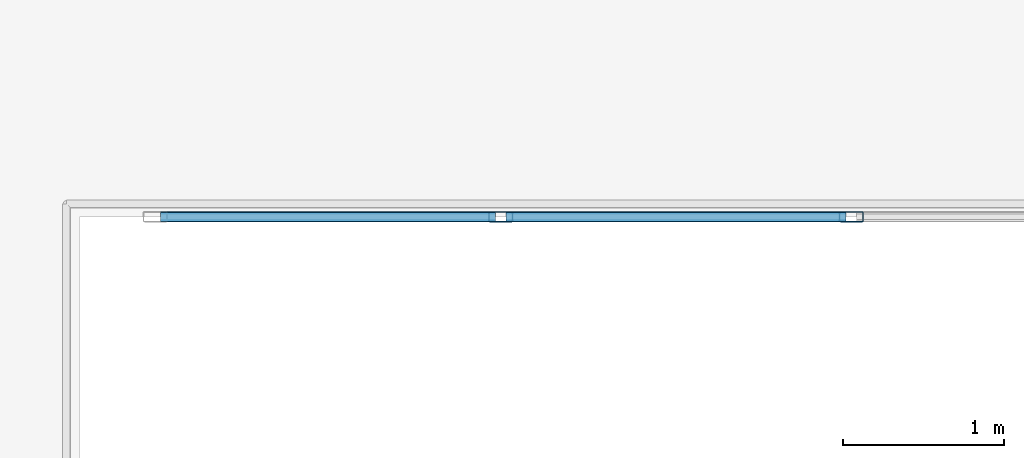
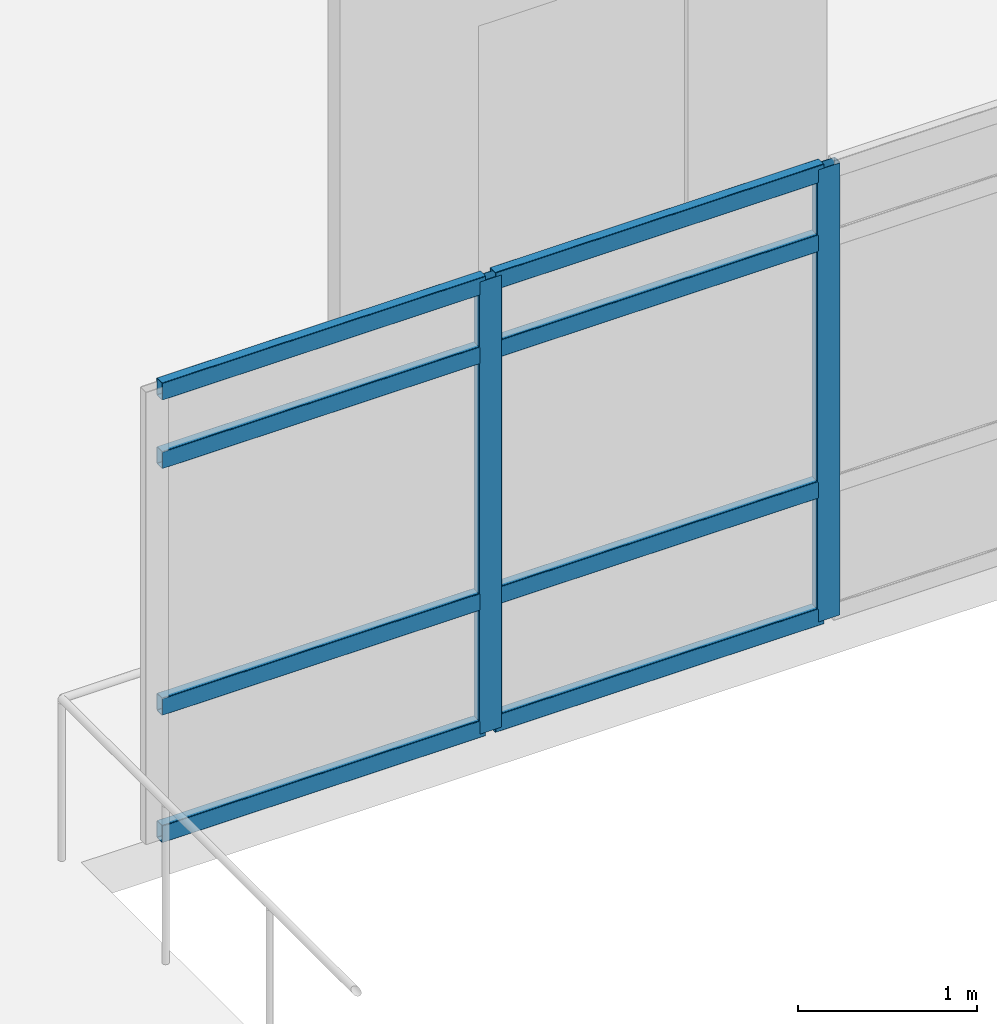
# One storey, part 8 of 24: 10 members, 1 element without a shape of its own.
"""IFC4 building model written with IfcOpenShell, lengths in metres."""

from ifc_helpers import new_model, si_unit, direction, frame, origin, origin_2d, place, context, subcontext, project, spatial, hollow_rectangle, extrude, material, layer, layer_set, material_profile, profile_set, type_object, element, aggregate, save


model = new_model("IFC4")

# Units and contexts
model_context = context("Model", 3, precision=1e-05, world=origin(), true_north=direction((0.0, 1.0)))
body_context = subcontext(model_context, "Body", "Model", "MODEL_VIEW")
ifc_project = project(units=[si_unit("LENGTHUNIT", "METRE"), si_unit("AREAUNIT", "SQUARE_METRE"), si_unit("VOLUMEUNIT", "CUBIC_METRE"), si_unit("PLANEANGLEUNIT", "RADIAN"), si_unit("MASSUNIT", "GRAM", prefix="KILO")], contexts=[model_context])

# Site, building, storey
site_placement = place(None, origin())
site = spatial("IfcSite", under=ifc_project, at=site_placement, CompositionType="ELEMENT")
building_placement = place(site_placement, origin())
building = spatial("IfcBuilding", under=site, at=building_placement, Name="Asteropetra Specialist Clinic", CompositionType="ELEMENT")
storey_placement = place(building_placement, frame((0.0, 0.0, 20.739990234375)))
storey = spatial("IfcBuildingStorey", under=building, at=storey_placement, Name="L05", CompositionType="ELEMENT", Elevation=20.739990234375)

# Curtain wall, members
ifc_material_1 = material(Name="Aluminium and low-E glass", Category="aluminium")
ifc_layer = layer(ifc_material_1, 0.135009765625)
ifc_layer_set = layer_set([ifc_layer], Name="Aluminium and low-E glass")
curtain_wall_type = type_object("IfcCurtainWallType", Name="CW-SYS-03", PredefinedType="USERDEFINED", material=ifc_layer_set)
curtain_wall_placement = place(storey_placement, origin())
curtain_wall = element("IfcCurtainWall", 1, at=curtain_wall_placement, inside=storey, type_object=curtain_wall_type, Name="Curtain Wall CW-058", ObjectType="UNITISED CURTAIN WALL", PredefinedType="USERDEFINED")
ifc_material_2 = material(Name="Aluminium 6063-T6", Category="aluminium")
ifc_material_profile_1 = material_profile(ifc_material_2, hollow_rectangle(XDim=0.06494140625, YDim=0.14990234375, WallThickness=0.00390625, InnerFilletRadius=0.00390625, OuterFilletRadius=0.008056640625, at=origin_2d()), Name="MUL 150x65x4.0")
ifc_profile_set_1 = profile_set([ifc_material_profile_1], Name="Aluminium 6063-T6")
member_type_1 = type_object("IfcMemberType", Name="CWM-150x65", PredefinedType="MULLION", material=ifc_profile_set_1)
member_1_placement = place(storey_placement, frame((14.39990234375, 95.199951171875, 0.0), z_axis=(0.0, 0.0, 1.0), x_axis=(0.0, -1.0, 0.0)))
member_1 = element("IfcMember", 2, at=member_1_placement, type_object=member_type_1, Name="CW-058 mullion 3", PredefinedType="MULLION", context=body_context, shape_type="SweptSolid", body=[
    extrude(hollow_rectangle(XDim=0.06494140625, YDim=0.14990234375, WallThickness=0.00390625, InnerFilletRadius=0.00390625, OuterFilletRadius=0.008056640625, at=origin_2d()), origin(), (0.0, 0.0, 1.0), 3.080078125),
])
member_2_placement = place(storey_placement, frame((12.219970703125, 95.199951171875, 0.0), z_axis=(0.0, 0.0, 1.0), x_axis=(0.0, -1.0, 0.0)))
member_2 = element("IfcMember", 3, at=member_2_placement, type_object=member_type_1, Name="CW-058 mullion 4", PredefinedType="MULLION", context=body_context, shape_type="SweptSolid", body=[
    extrude(hollow_rectangle(XDim=0.06494140625, YDim=0.14990234375, WallThickness=0.00390625, InnerFilletRadius=0.00390625, OuterFilletRadius=0.008056640625, at=origin_2d()), origin(), (0.0, 0.0, 1.0), 3.080078125),
])
ifc_material_3 = material(Name="Aluminium 6063-T6", Category="aluminium")
ifc_material_profile_2 = material_profile(ifc_material_3, hollow_rectangle(XDim=0.06494140625, YDim=0.1201171875, WallThickness=0.00390625, InnerFilletRadius=0.00390625, OuterFilletRadius=0.008056640625, at=origin_2d()), Name="TRN 120x65x4.0")
ifc_profile_set_2 = profile_set([ifc_material_profile_2], Name="Aluminium 6063-T6")
member_type_2 = type_object("IfcMemberType", Name="CWT-120x65", PredefinedType="USERDEFINED", material=ifc_profile_set_2)
member_3_placement = place(storey_placement, frame((14.367431640625, 95.199951171875, 0.032470703125), z_axis=(-1.0, 0.0, 0.0), x_axis=(0.0, -1.0, 0.0)))
member_3 = element("IfcMember", 4, at=member_3_placement, type_object=member_type_2, Name="CW-058 transom 3.1", ObjectType="TRANSOM", PredefinedType="USERDEFINED", context=body_context, shape_type="SweptSolid", body=[
    extrude(hollow_rectangle(XDim=0.06494140625, YDim=0.1201171875, WallThickness=0.00390625, InnerFilletRadius=0.00390625, OuterFilletRadius=0.008056640625, at=origin_2d()), origin(), (0.0, 0.0, 1.0), 2.114990234375),
])
member_4_placement = place(storey_placement, frame((14.367431640625, 95.199951171875, 0.89990234375), z_axis=(-1.0, 0.0, 0.0), x_axis=(0.0, -1.0, 0.0)))
member_4 = element("IfcMember", 5, at=member_4_placement, type_object=member_type_2, Name="CW-058 transom 3.2", ObjectType="TRANSOM", PredefinedType="USERDEFINED", context=body_context, shape_type="SweptSolid", body=[
    extrude(hollow_rectangle(XDim=0.06494140625, YDim=0.1201171875, WallThickness=0.00390625, InnerFilletRadius=0.00390625, OuterFilletRadius=0.008056640625, at=origin_2d()), origin(), (0.0, 0.0, 1.0), 2.114990234375),
])
member_5_placement = place(storey_placement, frame((14.367431640625, 95.199951171875, 2.580078125), z_axis=(-1.0, 0.0, 0.0), x_axis=(0.0, -1.0, 0.0)))
member_5 = element("IfcMember", 6, at=member_5_placement, type_object=member_type_2, Name="CW-058 transom 3.3", ObjectType="TRANSOM", PredefinedType="USERDEFINED", context=body_context, shape_type="SweptSolid", body=[
    extrude(hollow_rectangle(XDim=0.06494140625, YDim=0.1201171875, WallThickness=0.00390625, InnerFilletRadius=0.00390625, OuterFilletRadius=0.008056640625, at=origin_2d()), origin(), (0.0, 0.0, 1.0), 2.114990234375),
])
member_6_placement = place(storey_placement, frame((14.367431640625, 95.199951171875, 3.047607421875), z_axis=(-1.0, 0.0, 0.0), x_axis=(0.0, -1.0, 0.0)))
member_6 = element("IfcMember", 7, at=member_6_placement, type_object=member_type_2, Name="CW-058 transom 3.4", ObjectType="TRANSOM", PredefinedType="USERDEFINED", context=body_context, shape_type="SweptSolid", body=[
    extrude(hollow_rectangle(XDim=0.06494140625, YDim=0.1201171875, WallThickness=0.00390625, InnerFilletRadius=0.00390625, OuterFilletRadius=0.008056640625, at=origin_2d()), origin(), (0.0, 0.0, 1.0), 2.114990234375),
])
member_7_placement = place(storey_placement, frame((12.1875, 95.199951171875, 0.032470703125), z_axis=(-1.0, 0.0, 0.0), x_axis=(0.0, -1.0, 0.0)))
member_7 = element("IfcMember", 8, at=member_7_placement, type_object=member_type_2, Name="CW-058 transom 4.1", ObjectType="TRANSOM", PredefinedType="USERDEFINED", context=body_context, shape_type="SweptSolid", body=[
    extrude(hollow_rectangle(XDim=0.06494140625, YDim=0.1201171875, WallThickness=0.00390625, InnerFilletRadius=0.00390625, OuterFilletRadius=0.008056640625, at=origin_2d()), origin(), (0.0, 0.0, 1.0), 2.08251953125),
])
member_8_placement = place(storey_placement, frame((12.1875, 95.199951171875, 0.89990234375), z_axis=(-1.0, 0.0, 0.0), x_axis=(0.0, -1.0, 0.0)))
member_8 = element("IfcMember", 9, at=member_8_placement, type_object=member_type_2, Name="CW-058 transom 4.2", ObjectType="TRANSOM", PredefinedType="USERDEFINED", context=body_context, shape_type="SweptSolid", body=[
    extrude(hollow_rectangle(XDim=0.06494140625, YDim=0.1201171875, WallThickness=0.00390625, InnerFilletRadius=0.00390625, OuterFilletRadius=0.008056640625, at=origin_2d()), origin(), (0.0, 0.0, 1.0), 2.08251953125),
])
member_9_placement = place(storey_placement, frame((12.1875, 95.199951171875, 2.580078125), z_axis=(-1.0, 0.0, 0.0), x_axis=(0.0, -1.0, 0.0)))
member_9 = element("IfcMember", 10, at=member_9_placement, type_object=member_type_2, Name="CW-058 transom 4.3", ObjectType="TRANSOM", PredefinedType="USERDEFINED", context=body_context, shape_type="SweptSolid", body=[
    extrude(hollow_rectangle(XDim=0.06494140625, YDim=0.1201171875, WallThickness=0.00390625, InnerFilletRadius=0.00390625, OuterFilletRadius=0.008056640625, at=origin_2d()), origin(), (0.0, 0.0, 1.0), 2.08251953125),
])
member_10_placement = place(storey_placement, frame((12.1875, 95.199951171875, 3.047607421875), z_axis=(-1.0, 0.0, 0.0), x_axis=(0.0, -1.0, 0.0)))
member_10 = element("IfcMember", 11, at=member_10_placement, type_object=member_type_2, Name="CW-058 transom 4.4", ObjectType="TRANSOM", PredefinedType="USERDEFINED", context=body_context, shape_type="SweptSolid", body=[
    extrude(hollow_rectangle(XDim=0.06494140625, YDim=0.1201171875, WallThickness=0.00390625, InnerFilletRadius=0.00390625, OuterFilletRadius=0.008056640625, at=origin_2d()), origin(), (0.0, 0.0, 1.0), 2.08251953125),
])
aggregate(curtain_wall, [member_1, member_2, member_3, member_4, member_5, member_6, member_7, member_8, member_9, member_10])

save(model, "model.ifc")
